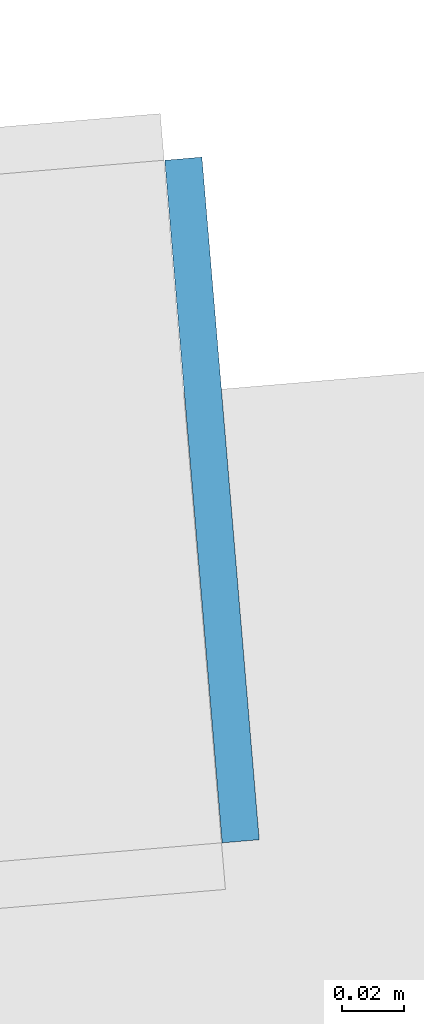
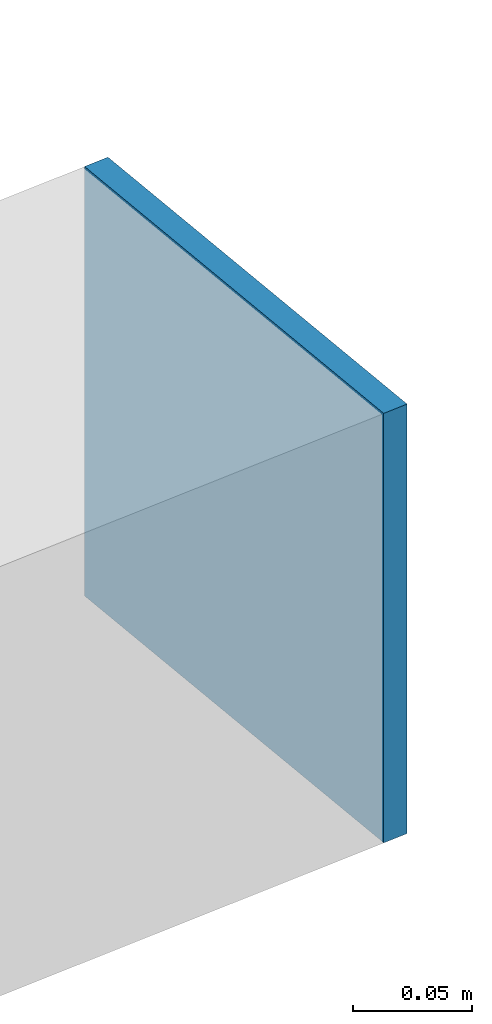
# One storey, part 34 of 39: 1 plate.
"""IFC4 building model written with IfcOpenShell, lengths in metres."""

from ifc_helpers import new_model, si_unit, direction, frame, origin, origin_2d, place, context, subcontext, project, spatial, rectangle, extrude, source, transform, mapped, material, layer, layer_set, type_object, element, save


model = new_model("IFC4")

# Units and contexts
model_context = context("Model", 3, precision=1e-05, world=origin(), true_north=direction((0.0, 1.0)))
body_context = subcontext(model_context, "Body", "Model", "MODEL_VIEW")
ifc_project = project(units=[si_unit("LENGTHUNIT", "METRE"), si_unit("AREAUNIT", "SQUARE_METRE"), si_unit("VOLUMEUNIT", "CUBIC_METRE"), si_unit("PLANEANGLEUNIT", "RADIAN"), si_unit("MASSUNIT", "GRAM", prefix="KILO")], contexts=[model_context])

# Site, building, storey
site_placement = place(None, origin())
site = spatial("IfcSite", under=ifc_project, at=site_placement, CompositionType="ELEMENT")
building_placement = place(site_placement, origin())
building = spatial("IfcBuilding", under=site, at=building_placement, Name="Taldren Reach Tower", CompositionType="ELEMENT")
storey_placement = place(building_placement, frame((0.0, 0.0, 197.75)))
storey = spatial("IfcBuildingStorey", under=building, at=storey_placement, Name="L60", CompositionType="ELEMENT", Elevation=197.75)

# Plate
ifc_material = material(Name="Steel Gr 450 (C450L0)", Category="steel")
ifc_layer = layer(ifc_material, 0.011962890625)
ifc_layer_set = layer_set([ifc_layer], Name="Steel Gr 450 (C450L0)")
plate_type = type_object("IfcPlateType", Name="PL-CAP-220", PredefinedType="SHEET", material=ifc_layer_set)
shared_shape = source(origin(), body_context, "Body", "SweptSolid", [
    extrude(rectangle(XDim=0.011962890625, YDim=0.219970703125, at=origin_2d()), origin(), (0.0, 0.0, 1.0), 0.219970703125),
])
plate_placement = place(storey_placement, frame((61.14697265625, 33.76220703125, 2.5400390625), z_axis=(0.0, 0.0, 1.0), x_axis=(0.99649285925, 0.083677843332, 0.0)))
element("IfcPlate", 1, at=plate_placement, inside=storey, type_object=plate_type, Name="Tie strut end cap plate B4-E3 L60", PredefinedType="SHEET", context=body_context, shape_type="MappedRepresentation", body=[
    mapped(shared_shape, transform((0.0, 0.0, 0.0), scale=1.0)),
])

save(model, "model.ifc")
